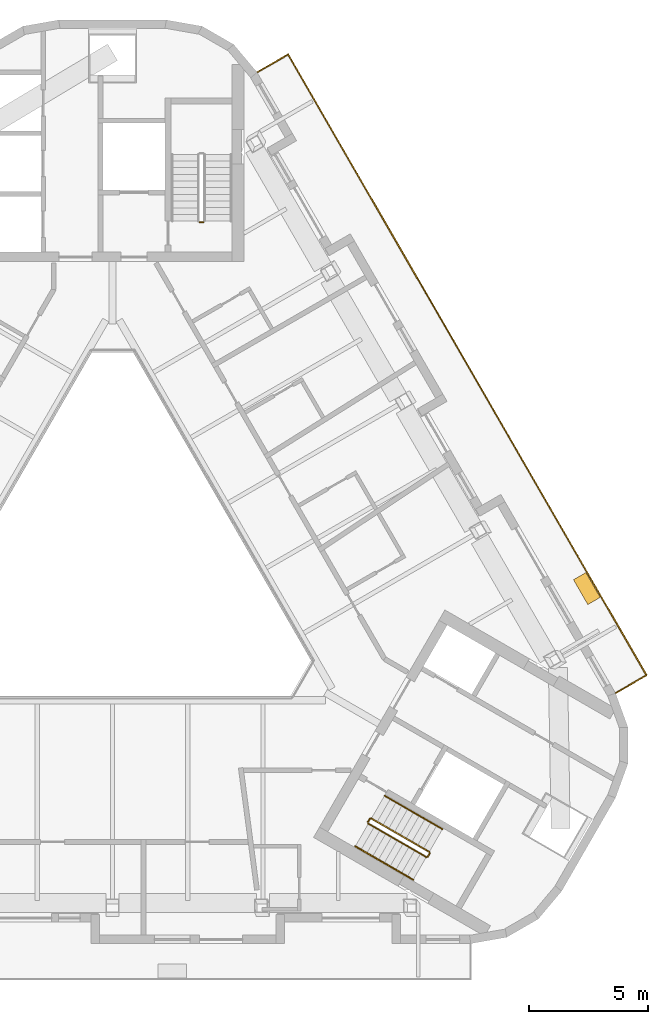
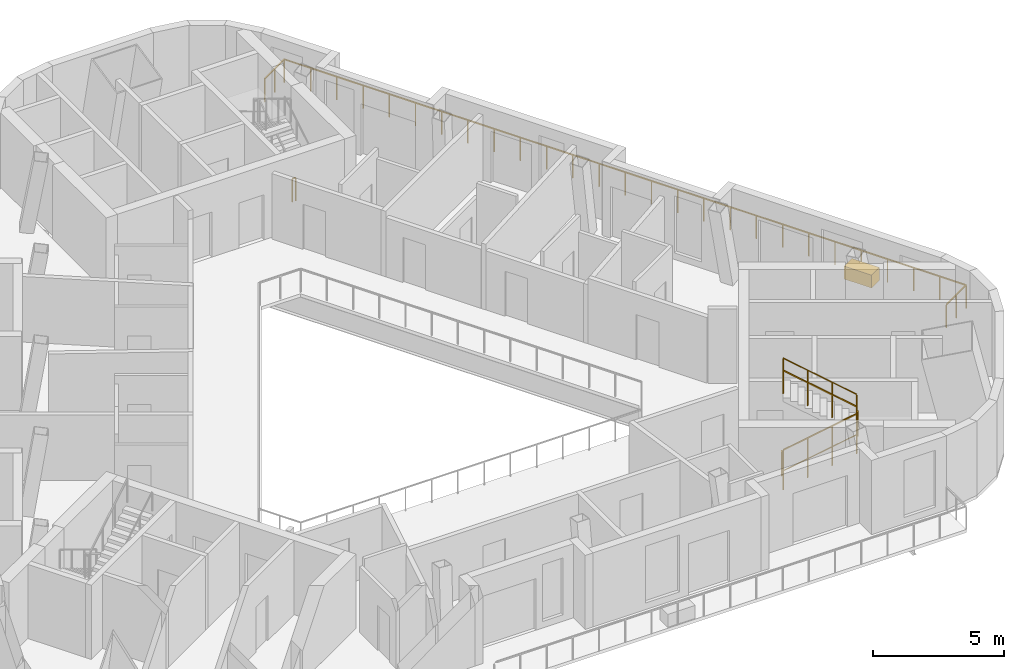
# One storey, part 10 of 11: 8 railings, 1 covering.
"""IFC4 building model written with IfcOpenShell, lengths in metres."""

from ifc_helpers import new_model, si_unit, direction, frame, origin, origin_2d, place, context, subcontext, project, spatial, rectangle, circle, extrude, material, type_object, element, save


model = new_model("IFC4")

# Units and contexts
model_context = context("Model", 3, precision=1e-05, world=origin(), true_north=direction((0.0, 1.0)))
body_context = subcontext(model_context, "Body", "Model", "MODEL_VIEW")
ifc_project = project(units=[si_unit("LENGTHUNIT", "METRE"), si_unit("AREAUNIT", "SQUARE_METRE"), si_unit("VOLUMEUNIT", "CUBIC_METRE"), si_unit("PLANEANGLEUNIT", "RADIAN"), si_unit("MASSUNIT", "GRAM", prefix="KILO")], contexts=[model_context])

# Site, building, storey
site_placement = place(None, origin())
site = spatial("IfcSite", under=ifc_project, at=site_placement, CompositionType="ELEMENT")
building_placement = place(site_placement, origin())
building = spatial("IfcBuilding", under=site, at=building_placement, Name="Apuvela Tower Hotel", CompositionType="ELEMENT")
storey_placement = place(building_placement, frame((0.0, 0.0, 328.10009765625)))
storey = spatial("IfcBuildingStorey", under=building, at=storey_placement, Name="L82", CompositionType="ELEMENT", Elevation=328.10009765625)

# Railings
ifc_material_1 = material(Name="Steel S275 balustrade", Category="steel")
railing_type_1 = type_object("IfcRailingType", Name="COR-GUARD-1100", PredefinedType="GUARDRAIL", material=ifc_material_1)
railing_1_placement = place(storey_placement, frame((3.800048828125, 14.550048828125, 0.0)))
element("IfcRailing", 1, at=railing_1_placement, inside=storey, type_object=railing_type_1, Name="L82 ST1 stair guard 4", PredefinedType="GUARDRAIL", context=body_context, shape_type="SweptSolid", body=[
    extrude(rectangle(XDim=0.048095703125, YDim=0.048095703125, at=origin_2d()), frame((0.0, 0.0, 1.076171875), z_axis=(-1.0, 0.0, 0.0), x_axis=(0.0, -1.0, 0.0)), (0.0, 0.0, 1.0), 0.150146484375),
    extrude(rectangle(XDim=0.0419921875, YDim=0.0419921875, at=origin_2d()), origin(), (0.0, 0.0, 1.0), 1.052001953125),
    extrude(rectangle(XDim=0.0419921875, YDim=0.0419921875, at=origin_2d()), frame((-0.150146484375, 0.0, 0.0)), (0.0, 0.0, 1.0), 1.052001953125),
])
railing_2_placement = place(storey_placement, frame((10.718994140625, -10.63427734375, 0.16796875)))
element("IfcRailing", 2, at=railing_2_placement, inside=storey, type_object=railing_type_1, Name="L82 ST3 stair guard 1", PredefinedType="GUARDRAIL", context=body_context, shape_type="SweptSolid", body=[
    extrude(rectangle(XDim=0.048095703125, YDim=0.048095703125, at=origin_2d()), frame((0.0, 0.0, 1.076171875), z_axis=(0.742390482028, -0.42860119049, 0.514934356695), x_axis=(0.49998411664, 0.866034573852, 0.0)), (0.0, 0.0, 1.0), 3.26611328125),
    extrude(rectangle(XDim=0.0419921875, YDim=0.0419921875, at=origin_2d()), origin(), (0.0, 0.0, 1.0), 1.052001953125),
    extrude(rectangle(XDim=0.0419921875, YDim=0.0419921875, at=origin_2d()), frame((0.808349609375, -0.466552734375, 0.560546875)), (0.0, 0.0, 1.0), 1.052001953125),
    extrude(rectangle(XDim=0.0419921875, YDim=0.0419921875, at=origin_2d()), frame((1.616455078125, -0.933349609375, 1.121337890625)), (0.0, 0.0, 1.0), 1.052001953125),
    extrude(rectangle(XDim=0.0419921875, YDim=0.0419921875, at=origin_2d()), frame((2.4248046875, -1.39990234375, 1.681884765625)), (0.0, 0.0, 1.0), 1.052001953125),
])
railing_3_placement = place(storey_placement, frame((13.212158203125, -12.015869140625, 1.849853515625)))
element("IfcRailing", 3, at=railing_3_placement, inside=storey, type_object=railing_type_1, Name="L82 ST3 stair guard 2", PredefinedType="GUARDRAIL", context=body_context, shape_type="SweptSolid", body=[
    extrude(rectangle(XDim=0.048095703125, YDim=0.048095703125, at=origin_2d()), frame((0.0, 0.0, 1.076171875), z_axis=(0.499816412211, 0.866131372301, 0.0), x_axis=(-0.866131372301, 0.499816412211, 0.0)), (0.0, 0.0, 1.0), 0.14990234375),
    extrude(rectangle(XDim=0.0419921875, YDim=0.0419921875, at=origin_2d()), origin(), (0.0, 0.0, 1.0), 1.052001953125),
    extrude(rectangle(XDim=0.0419921875, YDim=0.0419921875, at=origin_2d()), frame((0.074951171875, 0.1298828125, 0.0)), (0.0, 0.0, 1.0), 1.052001953125),
])
railing_4_placement = place(storey_placement, frame((13.268798828125, -11.817626953125, 2.01806640625)))
element("IfcRailing", 4, at=railing_4_placement, inside=storey, type_object=railing_type_1, Name="L82 ST3 stair guard 3", PredefinedType="GUARDRAIL", context=body_context, shape_type="SweptSolid", body=[
    extrude(rectangle(XDim=0.048095703125, YDim=0.048095703125, at=origin_2d()), frame((0.0, 0.0, 1.076171875), z_axis=(-0.742390482028, 0.42860119049, 0.514934356695), x_axis=(-0.49998411664, -0.866034573852, 0.0)), (0.0, 0.0, 1.0), 3.26611328125),
    extrude(rectangle(XDim=0.0419921875, YDim=0.0419921875, at=origin_2d()), origin(), (0.0, 0.0, 1.0), 1.052001953125),
    extrude(rectangle(XDim=0.0419921875, YDim=0.0419921875, at=origin_2d()), frame((-0.808349609375, 0.466552734375, 0.560546875)), (0.0, 0.0, 1.0), 1.052001953125),
    extrude(rectangle(XDim=0.0419921875, YDim=0.0419921875, at=origin_2d()), frame((-1.616455078125, 0.933349609375, 1.121337890625)), (0.0, 0.0, 1.0), 1.052001953125),
    extrude(rectangle(XDim=0.0419921875, YDim=0.0419921875, at=origin_2d()), frame((-2.4248046875, 1.39990234375, 1.681884765625)), (0.0, 0.0, 1.0), 1.052001953125),
])
railing_5_placement = place(storey_placement, frame((10.70068359375, -10.56591796875, 0.0)))
element("IfcRailing", 5, at=railing_5_placement, inside=storey, type_object=railing_type_1, Name="L82 ST3 stair guard 4", PredefinedType="GUARDRAIL", context=body_context, shape_type="SweptSolid", body=[
    extrude(rectangle(XDim=0.048095703125, YDim=0.048095703125, at=origin_2d()), frame((0.0, 0.0, 1.076171875), z_axis=(0.499816412211, 0.866131372301, 0.0), x_axis=(-0.866131372301, 0.499816412211, 0.0)), (0.0, 0.0, 1.0), 0.14990234375),
    extrude(rectangle(XDim=0.0419921875, YDim=0.0419921875, at=origin_2d()), origin(), (0.0, 0.0, 1.0), 1.052001953125),
    extrude(rectangle(XDim=0.0419921875, YDim=0.0419921875, at=origin_2d()), frame((0.074951171875, 0.1298828125, 0.0)), (0.0, 0.0, 1.0), 1.052001953125),
])
ifc_material_2 = material(Name="Stainless steel 316 handrail", Category="steel")
railing_type_2 = type_object("IfcRailingType", Name="COR-HANDRAIL-900", PredefinedType="HANDRAIL", material=ifc_material_2)
railing_6_placement = place(storey_placement, frame((10.1689453125, -11.5869140625, 0.16796875)))
element("IfcRailing", 6, at=railing_6_placement, inside=storey, type_object=railing_type_2, Name="L82 ST3 stair handrail 1", PredefinedType="HANDRAIL", context=body_context, shape_type="SweptSolid", body=[
    extrude(circle(Radius=0.02392578125, at=origin_2d()), frame((0.0, 0.0, 0.8759765625), z_axis=(0.742390482028, -0.42860119049, 0.514934356695), x_axis=(0.49998411664, 0.866034573852, 0.0)), (0.0, 0.0, 1.0), 3.26611328125),
    extrude(rectangle(XDim=0.0419921875, YDim=0.0419921875, at=origin_2d()), origin(), (0.0, 0.0, 1.0), 0.851806640625),
    extrude(rectangle(XDim=0.0419921875, YDim=0.0419921875, at=origin_2d()), frame((0.808349609375, -0.466552734375, 0.560546875)), (0.0, 0.0, 1.0), 0.851806640625),
    extrude(rectangle(XDim=0.0419921875, YDim=0.0419921875, at=origin_2d()), frame((1.616455078125, -0.933349609375, 1.121337890625)), (0.0, 0.0, 1.0), 0.851806640625),
    extrude(rectangle(XDim=0.0419921875, YDim=0.0419921875, at=origin_2d()), frame((2.4248046875, -1.39990234375, 1.681884765625)), (0.0, 0.0, 1.0), 0.851806640625),
])
railing_7_placement = place(storey_placement, frame((13.81884765625, -10.864990234375, 2.01806640625)))
element("IfcRailing", 7, at=railing_7_placement, inside=storey, type_object=railing_type_2, Name="L82 ST3 stair handrail 2", PredefinedType="HANDRAIL", context=body_context, shape_type="SweptSolid", body=[
    extrude(circle(Radius=0.02392578125, at=origin_2d()), frame((0.0, 0.0, 0.8759765625), z_axis=(-0.742390482028, 0.42860119049, 0.514934356695), x_axis=(-0.49998411664, -0.866034573852, 0.0)), (0.0, 0.0, 1.0), 3.26611328125),
    extrude(rectangle(XDim=0.0419921875, YDim=0.0419921875, at=origin_2d()), origin(), (0.0, 0.0, 1.0), 0.851806640625),
    extrude(rectangle(XDim=0.0419921875, YDim=0.0419921875, at=origin_2d()), frame((-0.808349609375, 0.466552734375, 0.560546875)), (0.0, 0.0, 1.0), 0.851806640625),
    extrude(rectangle(XDim=0.0419921875, YDim=0.0419921875, at=origin_2d()), frame((-1.616455078125, 0.933349609375, 1.121337890625)), (0.0, 0.0, 1.0), 0.851806640625),
    extrude(rectangle(XDim=0.0419921875, YDim=0.0419921875, at=origin_2d()), frame((-2.4248046875, 1.39990234375, 1.681884765625)), (0.0, 0.0, 1.0), 0.851806640625),
])
ifc_material_3 = material(Name="Stainless steel 316 rail with laminated glass infill", Category="steel")
railing_type_3 = type_object("IfcRailingType", Name="ENV-GUARD-1100", PredefinedType="GUARDRAIL", material=ifc_material_3)
railing_8_placement = place(storey_placement, frame((21.067626953125, -5.169677734375, 0.0)))
element("IfcRailing", 8, at=railing_8_placement, inside=storey, type_object=railing_type_3, Name="Balcony guard NE L82", PredefinedType="GUARDRAIL", context=body_context, shape_type="SweptSolid", body=[
    extrude(rectangle(XDim=0.050048828125, YDim=0.050048828125, at=origin_2d()), frame((0.0, 0.0, 1.0751953125), z_axis=(0.866031096941, 0.499990139034, 0.0), x_axis=(-0.499990139034, 0.866031096941, 0.0)), (0.0, 0.0, 1.0), 1.5),
    extrude(rectangle(XDim=0.050048828125, YDim=0.050048828125, at=origin_2d()), frame((1.299072265625, 0.75, 1.0751953125), z_axis=(-0.499994407638, 0.866028632512, 0.0), x_axis=(-0.866028632512, -0.499994407638, 0.0)), (0.0, 0.0, 1.0), 30.021728515625),
    extrude(rectangle(XDim=0.050048828125, YDim=0.050048828125, at=origin_2d()), frame((-13.711669921875, 26.749755859375, 1.0751953125), z_axis=(-0.866031096941, -0.499990139034, 0.0), x_axis=(0.499990139034, -0.866031096941, 0.0)), (0.0, 0.0, 1.0), 1.5),
    extrude(rectangle(XDim=0.0400390625, YDim=0.0400390625, at=origin_2d()), origin(), (0.0, 0.0, 1.0), 1.050048828125),
    extrude(rectangle(XDim=0.0400390625, YDim=0.0400390625, at=origin_2d()), frame((0.6494140625, 0.375, 0.0)), (0.0, 0.0, 1.0), 1.050048828125),
    extrude(rectangle(XDim=0.0400390625, YDim=0.0400390625, at=origin_2d()), frame((1.299072265625, 0.75, 0.0)), (0.0, 0.0, 1.0), 1.050048828125),
    extrude(rectangle(XDim=0.0400390625, YDim=0.0400390625, at=origin_2d()), frame((0.7216796875, 1.75, 0.0)), (0.0, 0.0, 1.0), 1.050048828125),
    extrude(rectangle(XDim=0.0400390625, YDim=0.0400390625, at=origin_2d()), frame((0.144287109375, 2.75, 0.0)), (0.0, 0.0, 1.0), 1.050048828125),
    extrude(rectangle(XDim=0.0400390625, YDim=0.0400390625, at=origin_2d()), frame((-0.432861328125, 3.75, 0.0)), (0.0, 0.0, 1.0), 1.050048828125),
    extrude(rectangle(XDim=0.0400390625, YDim=0.0400390625, at=origin_2d()), frame((-1.01025390625, 4.75, 0.0)), (0.0, 0.0, 1.0), 1.050048828125),
    extrude(rectangle(XDim=0.0400390625, YDim=0.0400390625, at=origin_2d()), frame((-1.587646484375, 5.75, 0.0)), (0.0, 0.0, 1.0), 1.050048828125),
    extrude(rectangle(XDim=0.0400390625, YDim=0.0400390625, at=origin_2d()), frame((-2.1650390625, 6.75, 0.0)), (0.0, 0.0, 1.0), 1.050048828125),
    extrude(rectangle(XDim=0.0400390625, YDim=0.0400390625, at=origin_2d()), frame((-2.7421875, 7.75, 0.0)), (0.0, 0.0, 1.0), 1.050048828125),
    extrude(rectangle(XDim=0.0400390625, YDim=0.0400390625, at=origin_2d()), frame((-3.319580078125, 8.75, 0.0)), (0.0, 0.0, 1.0), 1.050048828125),
    extrude(rectangle(XDim=0.0400390625, YDim=0.0400390625, at=origin_2d()), frame((-3.89697265625, 9.75, 0.0)), (0.0, 0.0, 1.0), 1.050048828125),
    extrude(rectangle(XDim=0.0400390625, YDim=0.0400390625, at=origin_2d()), frame((-4.474365234375, 10.75, 0.0)), (0.0, 0.0, 1.0), 1.050048828125),
    extrude(rectangle(XDim=0.0400390625, YDim=0.0400390625, at=origin_2d()), frame((-5.051513671875, 11.75, 0.0)), (0.0, 0.0, 1.0), 1.050048828125),
    extrude(rectangle(XDim=0.0400390625, YDim=0.0400390625, at=origin_2d()), frame((-5.62890625, 12.75, 0.0)), (0.0, 0.0, 1.0), 1.050048828125),
    extrude(rectangle(XDim=0.0400390625, YDim=0.0400390625, at=origin_2d()), frame((-6.206298828125, 13.75, 0.0)), (0.0, 0.0, 1.0), 1.050048828125),
    extrude(rectangle(XDim=0.0400390625, YDim=0.0400390625, at=origin_2d()), frame((-6.78369140625, 14.749755859375, 0.0)), (0.0, 0.0, 1.0), 1.050048828125),
    extrude(rectangle(XDim=0.0400390625, YDim=0.0400390625, at=origin_2d()), frame((-7.361083984375, 15.749755859375, 0.0)), (0.0, 0.0, 1.0), 1.050048828125),
    extrude(rectangle(XDim=0.0400390625, YDim=0.0400390625, at=origin_2d()), frame((-7.938232421875, 16.749755859375, 0.0)), (0.0, 0.0, 1.0), 1.050048828125),
    extrude(rectangle(XDim=0.0400390625, YDim=0.0400390625, at=origin_2d()), frame((-8.515625, 17.749755859375, 0.0)), (0.0, 0.0, 1.0), 1.050048828125),
    extrude(rectangle(XDim=0.0400390625, YDim=0.0400390625, at=origin_2d()), frame((-9.093017578125, 18.749755859375, 0.0)), (0.0, 0.0, 1.0), 1.050048828125),
    extrude(rectangle(XDim=0.0400390625, YDim=0.0400390625, at=origin_2d()), frame((-9.67041015625, 19.749755859375, 0.0)), (0.0, 0.0, 1.0), 1.050048828125),
    extrude(rectangle(XDim=0.0400390625, YDim=0.0400390625, at=origin_2d()), frame((-10.24755859375, 20.749755859375, 0.0)), (0.0, 0.0, 1.0), 1.050048828125),
    extrude(rectangle(XDim=0.0400390625, YDim=0.0400390625, at=origin_2d()), frame((-10.824951171875, 21.749755859375, 0.0)), (0.0, 0.0, 1.0), 1.050048828125),
    extrude(rectangle(XDim=0.0400390625, YDim=0.0400390625, at=origin_2d()), frame((-11.40234375, 22.749755859375, 0.0)), (0.0, 0.0, 1.0), 1.050048828125),
    extrude(rectangle(XDim=0.0400390625, YDim=0.0400390625, at=origin_2d()), frame((-11.979736328125, 23.749755859375, 0.0)), (0.0, 0.0, 1.0), 1.050048828125),
    extrude(rectangle(XDim=0.0400390625, YDim=0.0400390625, at=origin_2d()), frame((-12.556884765625, 24.749755859375, 0.0)), (0.0, 0.0, 1.0), 1.050048828125),
    extrude(rectangle(XDim=0.0400390625, YDim=0.0400390625, at=origin_2d()), frame((-13.13427734375, 25.749755859375, 0.0)), (0.0, 0.0, 1.0), 1.050048828125),
    extrude(rectangle(XDim=0.0400390625, YDim=0.0400390625, at=origin_2d()), frame((-13.711669921875, 26.749755859375, 0.0)), (0.0, 0.0, 1.0), 1.050048828125),
    extrude(rectangle(XDim=0.0400390625, YDim=0.0400390625, at=origin_2d()), frame((-14.361328125, 26.374755859375, 0.0)), (0.0, 0.0, 1.0), 1.050048828125),
    extrude(rectangle(XDim=0.0400390625, YDim=0.0400390625, at=origin_2d()), frame((-15.0107421875, 25.999755859375, 0.0)), (0.0, 0.0, 1.0), 1.050048828125),
])

# Covering
ifc_material_4 = material(Name="Planting substrate and soil, planted")
covering_type = type_object("IfcCoveringType", Name="ENV-PLANTER-1200x600", PredefinedType="USERDEFINED", material=ifc_material_4)
covering_placement = place(storey_placement, frame((19.867431640625, -0.79052734375, -0.000244140625), z_axis=(0.0, 0.0, 1.0), x_axis=(-0.5, 0.866025403784, 0.0)))
element("IfcCovering", 9, at=covering_placement, inside=storey, type_object=covering_type, Name="Planter NE3", ObjectType="PLANTER", PredefinedType="USERDEFINED", context=body_context, shape_type="SweptSolid", body=[
    extrude(rectangle(XDim=1.199951171875, YDim=0.60009765625, at=origin_2d()), origin(), (0.0, 0.0, 1.0), 0.60009765625),
])

save(model, "model.ifc")
